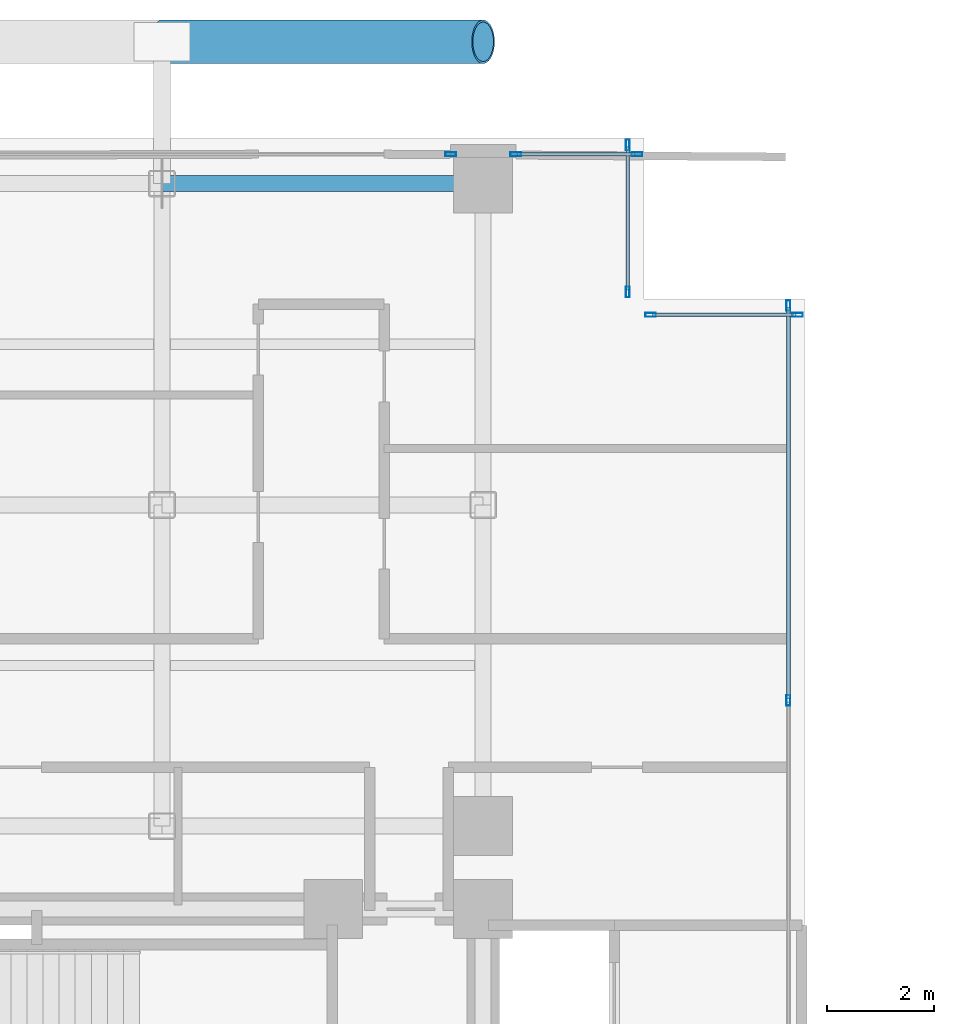
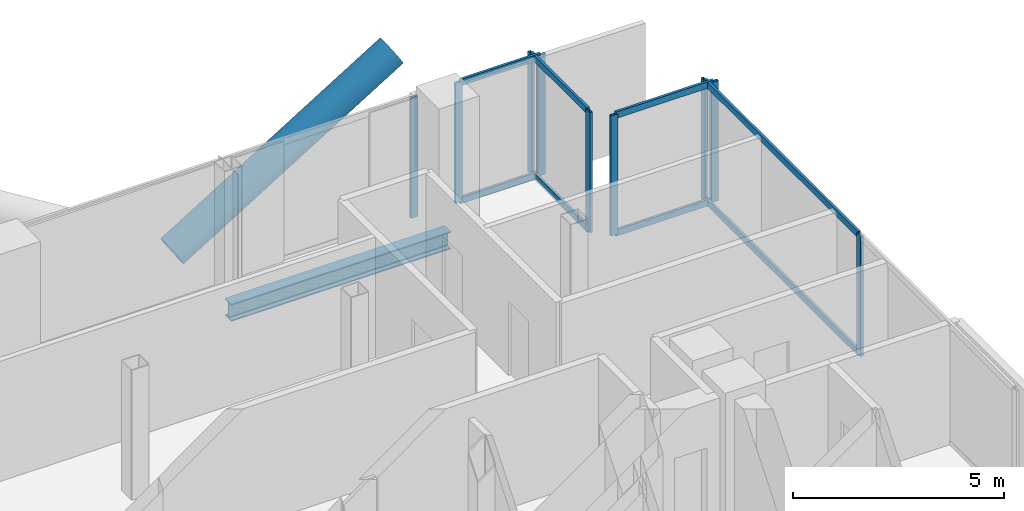
# One storey, part 17 of 28: 18 members, 1 beam, 5 elements without a shape of their own.
"""IFC4 building model written with IfcOpenShell, lengths in metres."""

from ifc_helpers import new_model, si_unit, direction, frame, origin, origin_2d, place, context, subcontext, project, spatial, hollow_rectangle, hollow_circle, i_section, extrude, material, layer, layer_set, material_profile, profile_set, type_object, element, aggregate, save


model = new_model("IFC4")

# Units and contexts
model_context = context("Model", 3, precision=1e-05, world=origin(), true_north=direction((0.0, 1.0)))
body_context = subcontext(model_context, "Body", "Model", "MODEL_VIEW")
ifc_project = project(units=[si_unit("LENGTHUNIT", "METRE"), si_unit("AREAUNIT", "SQUARE_METRE"), si_unit("VOLUMEUNIT", "CUBIC_METRE"), si_unit("PLANEANGLEUNIT", "RADIAN"), si_unit("MASSUNIT", "GRAM", prefix="KILO"), si_unit("THERMODYNAMICTEMPERATUREUNIT", "KELVIN"), si_unit("POWERUNIT", "WATT")], contexts=[model_context])

# Site, building, storey
site_placement = place(None, origin())
site = spatial("IfcSite", under=ifc_project, at=site_placement, CompositionType="ELEMENT")
building_placement = place(site_placement, origin())
building = spatial("IfcBuilding", under=site, at=building_placement, Name="Svarakhadi Broadcast Tower", CompositionType="ELEMENT")
storey_placement = place(building_placement, frame((0.0, 0.0, 107.10009765625)))
storey = spatial("IfcBuildingStorey", under=building, at=storey_placement, Name="L25", CompositionType="ELEMENT", Elevation=107.10009765625)

# Curtain wall, member
ifc_material_1 = material(Name="Anodised Bronze Aluminium AA 6063-T6", Category="aluminium")
ifc_layer = layer(ifc_material_1, 0.199951171875)
ifc_layer_set = layer_set([ifc_layer], Name="Anodised Bronze Aluminium AA 6063-T6")
curtain_wall_type = type_object("IfcCurtainWallType", Name="CW_Sys_03", PredefinedType="NOTDEFINED", material=ifc_layer_set)
curtain_wall_1_placement = place(storey_placement, origin())
curtain_wall_1 = element("IfcCurtainWall", 1, at=curtain_wall_1_placement, inside=storey, type_object=curtain_wall_type, Name="L25 Unitised Facade Curtain Wall 06 Bay 2", PredefinedType="NOTDEFINED")
ifc_material_profile_1 = material_profile(ifc_material_1, hollow_rectangle(XDim=0.074951171875, YDim=0.199951171875, WallThickness=0.005615234375, at=origin_2d()), Name="ALU MULLION 200x75x6")
ifc_profile_set_1 = profile_set([ifc_material_profile_1], Name="Anodised Bronze Aluminium AA 6063-T6")
member_type_1 = type_object("IfcMemberType", Name="CW_Sys_03_Mul", PredefinedType="MULLION", material=ifc_profile_set_1)
member_1_placement = place(storey_placement, frame((17.392578125, 41.699951171875, 0.0), z_axis=(0.0, 0.0, 1.0), x_axis=(0.0, 1.0, 0.0)))
member_1 = element("IfcMember", 2, at=member_1_placement, type_object=member_type_1, Name="CW-03 mullion 2", PredefinedType="MULLION", context=body_context, shape_type="SweptSolid", body=[
    extrude(hollow_rectangle(XDim=0.074951171875, YDim=0.199951171875, WallThickness=0.005615234375, at=origin_2d()), origin(), (0.0, 0.0, 1.0), 3.474853515625),
])
aggregate(curtain_wall_1, [member_1])

# Curtain wall, members
curtain_wall_2_placement = place(storey_placement, origin())
curtain_wall_2 = element("IfcCurtainWall", 3, at=curtain_wall_2_placement, inside=storey, type_object=curtain_wall_type, Name="L25 Unitised Facade Curtain Wall 06 Bay 3", PredefinedType="NOTDEFINED")
member_2_placement = place(storey_placement, frame((18.607421875, 41.699951171875, 0.0), z_axis=(0.0, 0.0, 1.0), x_axis=(0.0, 1.0, 0.0)))
member_2 = element("IfcMember", 4, at=member_2_placement, type_object=member_type_1, Name="CW-03 mullion 1", PredefinedType="MULLION", context=body_context, shape_type="SweptSolid", body=[
    extrude(hollow_rectangle(XDim=0.074951171875, YDim=0.199951171875, WallThickness=0.005615234375, at=origin_2d()), origin(), (0.0, 0.0, 1.0), 3.474853515625),
])
member_3_placement = place(storey_placement, frame((20.87255859375, 41.699951171875, 0.0), z_axis=(0.0, 0.0, 1.0), x_axis=(0.0, 1.0, 0.0)))
member_3 = element("IfcMember", 5, at=member_3_placement, type_object=member_type_1, Name="CW-03 mullion 2", PredefinedType="MULLION", context=body_context, shape_type="SweptSolid", body=[
    extrude(hollow_rectangle(XDim=0.074951171875, YDim=0.199951171875, WallThickness=0.005615234375, at=origin_2d()), origin(), (0.0, 0.0, 1.0), 3.474853515625),
])

curtain_wall_3_placement = place(storey_placement, origin())
curtain_wall_3 = element("IfcCurtainWall", 6, at=curtain_wall_3_placement, inside=storey, type_object=curtain_wall_type, Name="L25 Unitised Facade Curtain Wall 07", PredefinedType="NOTDEFINED")
member_4_placement = place(storey_placement, frame((20.699951171875, 41.87255859375, 0.0), z_axis=(0.0, 0.0, 1.0), x_axis=(1.0, 0.0, 0.0)))
member_4 = element("IfcMember", 7, at=member_4_placement, type_object=member_type_1, Name="CW-03 mullion 1", PredefinedType="MULLION", context=body_context, shape_type="SweptSolid", body=[
    extrude(hollow_rectangle(XDim=0.074951171875, YDim=0.199951171875, WallThickness=0.005615234375, at=origin_2d()), origin(), (0.0, 0.0, 1.0), 3.474853515625),
])
member_5_placement = place(storey_placement, frame((20.699951171875, 39.12744140625, 0.0), z_axis=(0.0, 0.0, 1.0), x_axis=(1.0, 0.0, 0.0)))
member_5 = element("IfcMember", 8, at=member_5_placement, type_object=member_type_1, Name="CW-03 mullion 2", PredefinedType="MULLION", context=body_context, shape_type="SweptSolid", body=[
    extrude(hollow_rectangle(XDim=0.074951171875, YDim=0.199951171875, WallThickness=0.005615234375, at=origin_2d()), origin(), (0.0, 0.0, 1.0), 3.474853515625),
])

curtain_wall_4_placement = place(storey_placement, origin())
curtain_wall_4 = element("IfcCurtainWall", 9, at=curtain_wall_4_placement, inside=storey, type_object=curtain_wall_type, Name="L25 Unitised Facade Curtain Wall 08", PredefinedType="NOTDEFINED")
member_6_placement = place(storey_placement, frame((21.12744140625, 38.699951171875, 0.0), z_axis=(0.0, 0.0, 1.0), x_axis=(0.0, 1.0, 0.0)))
member_6 = element("IfcMember", 10, at=member_6_placement, type_object=member_type_1, Name="CW-03 mullion 1", PredefinedType="MULLION", context=body_context, shape_type="SweptSolid", body=[
    extrude(hollow_rectangle(XDim=0.074951171875, YDim=0.199951171875, WallThickness=0.005615234375, at=origin_2d()), origin(), (0.0, 0.0, 1.0), 3.474853515625),
])
member_7_placement = place(storey_placement, frame((23.87255859375, 38.699951171875, 0.0), z_axis=(0.0, 0.0, 1.0), x_axis=(0.0, 1.0, 0.0)))
member_7 = element("IfcMember", 11, at=member_7_placement, type_object=member_type_1, Name="CW-03 mullion 2", PredefinedType="MULLION", context=body_context, shape_type="SweptSolid", body=[
    extrude(hollow_rectangle(XDim=0.074951171875, YDim=0.199951171875, WallThickness=0.005615234375, at=origin_2d()), origin(), (0.0, 0.0, 1.0), 3.474853515625),
])

curtain_wall_5_placement = place(storey_placement, origin())
curtain_wall_5 = element("IfcCurtainWall", 12, at=curtain_wall_5_placement, inside=storey, type_object=curtain_wall_type, Name="L25 Unitised Facade Curtain Wall 09", PredefinedType="NOTDEFINED")
member_8_placement = place(storey_placement, frame((23.699951171875, 38.87255859375, 0.0), z_axis=(0.0, 0.0, 1.0), x_axis=(1.0, 0.0, 0.0)))
member_8 = element("IfcMember", 13, at=member_8_placement, type_object=member_type_1, Name="CW-03 mullion 1", PredefinedType="MULLION", context=body_context, shape_type="SweptSolid", body=[
    extrude(hollow_rectangle(XDim=0.074951171875, YDim=0.199951171875, WallThickness=0.005615234375, at=origin_2d()), origin(), (0.0, 0.0, 1.0), 3.474853515625),
])
member_9_placement = place(storey_placement, frame((23.699951171875, 31.5, 0.0), z_axis=(0.0, 0.0, 1.0), x_axis=(1.0, 0.0, 0.0)))
member_9 = element("IfcMember", 14, at=member_9_placement, type_object=member_type_1, Name="CW-03 mullion 2", PredefinedType="MULLION", context=body_context, shape_type="SweptSolid", body=[
    extrude(hollow_rectangle(XDim=0.074951171875, YDim=0.199951171875, WallThickness=0.005615234375, at=origin_2d()), origin(), (0.0, 0.0, 1.0), 3.474853515625),
])

# Member
ifc_material_profile_2 = material_profile(ifc_material_1, hollow_rectangle(XDim=0.070068359375, YDim=0.18505859375, WallThickness=0.0048828125, at=origin_2d()), Name="ALU TRANSOM 185x70x5")
ifc_profile_set_2 = profile_set([ifc_material_profile_2], Name="Anodised Bronze Aluminium AA 6063-T6")
member_type_2 = type_object("IfcMemberType", Name="CW_Sys_03_Trn", PredefinedType="USERDEFINED", material=ifc_profile_set_2)
member_10_placement = place(storey_placement, frame((18.64501953125, 41.699951171875, 0.034912109375), z_axis=(1.0, 0.0, 0.0), x_axis=(0.0, 1.0, 0.0)))
member_10 = element("IfcMember", 15, at=member_10_placement, type_object=member_type_2, Name="CW-03 transom 1.1", ObjectType="TRANSOM", PredefinedType="USERDEFINED", context=body_context, shape_type="SweptSolid", body=[
    extrude(hollow_rectangle(XDim=0.070068359375, YDim=0.18505859375, WallThickness=0.0048828125, at=origin_2d()), origin(), (0.0, 0.0, 1.0), 2.18994140625),
])

member_11_placement = place(storey_placement, frame((18.64501953125, 41.699951171875, 3.43994140625), z_axis=(1.0, 0.0, 0.0), x_axis=(0.0, 1.0, 0.0)))
member_11 = element("IfcMember", 16, at=member_11_placement, type_object=member_type_2, Name="CW-03 transom 1.2", ObjectType="TRANSOM", PredefinedType="USERDEFINED", context=body_context, shape_type="SweptSolid", body=[
    extrude(hollow_rectangle(XDim=0.070068359375, YDim=0.18505859375, WallThickness=0.0048828125, at=origin_2d()), origin(), (0.0, 0.0, 1.0), 2.18994140625),
])

aggregate(curtain_wall_2, [member_2, member_3, member_10, member_11])

member_12_placement = place(storey_placement, frame((20.699951171875, 41.8349609375, 0.034912109375), z_axis=(0.0, -1.0, 0.0), x_axis=(1.0, 0.0, 0.0)))
member_12 = element("IfcMember", 17, at=member_12_placement, type_object=member_type_2, Name="CW-03 transom 1.1", ObjectType="TRANSOM", PredefinedType="USERDEFINED", context=body_context, shape_type="SweptSolid", body=[
    extrude(hollow_rectangle(XDim=0.070068359375, YDim=0.18505859375, WallThickness=0.0048828125, at=origin_2d()), origin(), (0.0, 0.0, 1.0), 2.669921875),
])

member_13_placement = place(storey_placement, frame((20.699951171875, 41.8349609375, 3.43994140625), z_axis=(0.0, -1.0, 0.0), x_axis=(1.0, 0.0, 0.0)))
member_13 = element("IfcMember", 18, at=member_13_placement, type_object=member_type_2, Name="CW-03 transom 1.2", ObjectType="TRANSOM", PredefinedType="USERDEFINED", context=body_context, shape_type="SweptSolid", body=[
    extrude(hollow_rectangle(XDim=0.070068359375, YDim=0.18505859375, WallThickness=0.0048828125, at=origin_2d()), origin(), (0.0, 0.0, 1.0), 2.669921875),
])

aggregate(curtain_wall_3, [member_4, member_5, member_12, member_13])

member_14_placement = place(storey_placement, frame((21.1650390625, 38.699951171875, 0.034912109375), z_axis=(1.0, 0.0, 0.0), x_axis=(0.0, 1.0, 0.0)))
member_14 = element("IfcMember", 19, at=member_14_placement, type_object=member_type_2, Name="CW-03 transom 1.1", ObjectType="TRANSOM", PredefinedType="USERDEFINED", context=body_context, shape_type="SweptSolid", body=[
    extrude(hollow_rectangle(XDim=0.070068359375, YDim=0.18505859375, WallThickness=0.0048828125, at=origin_2d()), origin(), (0.0, 0.0, 1.0), 2.669921875),
])

member_15_placement = place(storey_placement, frame((21.1650390625, 38.699951171875, 3.43994140625), z_axis=(1.0, 0.0, 0.0), x_axis=(0.0, 1.0, 0.0)))
member_15 = element("IfcMember", 20, at=member_15_placement, type_object=member_type_2, Name="CW-03 transom 1.2", ObjectType="TRANSOM", PredefinedType="USERDEFINED", context=body_context, shape_type="SweptSolid", body=[
    extrude(hollow_rectangle(XDim=0.070068359375, YDim=0.18505859375, WallThickness=0.0048828125, at=origin_2d()), origin(), (0.0, 0.0, 1.0), 2.669921875),
])

aggregate(curtain_wall_4, [member_6, member_7, member_14, member_15])

member_16_placement = place(storey_placement, frame((23.699951171875, 38.8349609375, 0.034912109375), z_axis=(0.0, -1.0, 0.0), x_axis=(1.0, 0.0, 0.0)))
member_16 = element("IfcMember", 21, at=member_16_placement, type_object=member_type_2, Name="CW-03 transom 1.1", ObjectType="TRANSOM", PredefinedType="USERDEFINED", context=body_context, shape_type="SweptSolid", body=[
    extrude(hollow_rectangle(XDim=0.070068359375, YDim=0.18505859375, WallThickness=0.0048828125, at=origin_2d()), origin(), (0.0, 0.0, 1.0), 7.29736328125),
])

member_17_placement = place(storey_placement, frame((23.699951171875, 38.8349609375, 3.43994140625), z_axis=(0.0, -1.0, 0.0), x_axis=(1.0, 0.0, 0.0)))
member_17 = element("IfcMember", 22, at=member_17_placement, type_object=member_type_2, Name="CW-03 transom 1.2", ObjectType="TRANSOM", PredefinedType="USERDEFINED", context=body_context, shape_type="SweptSolid", body=[
    extrude(hollow_rectangle(XDim=0.070068359375, YDim=0.18505859375, WallThickness=0.0048828125, at=origin_2d()), origin(), (0.0, 0.0, 1.0), 7.29736328125),
])

aggregate(curtain_wall_5, [member_8, member_9, member_16, member_17])

ifc_material_2 = material(Name="Steel S460ML (IS 2062 E450BR)", Category="steel")
ifc_material_profile_3 = material_profile(ifc_material_2, hollow_circle(Radius=0.406494140625, WallThickness=0.0400390625, at=origin_2d()), Name="CHS 813x40")
ifc_profile_set_3 = profile_set([ifc_material_profile_3], Name="Steel S460ML (IS 2062 E450BR)")
member_type_3 = type_object("IfcMemberType", Name="Exo_Brace_CHS813", PredefinedType="BRACE", material=ifc_profile_set_3)
member_18_placement = place(storey_placement, frame((12.0, 43.800048828125, -0.386962890625), z_axis=(0.851173964427, 0.0, 0.524883684525), x_axis=(0.0, 1.0, 0.0)))
element("IfcMember", 23, at=member_18_placement, inside=storey, type_object=member_type_3, Name="L25 Exposed Bronze Exoskeleton Diagonal N11", PredefinedType="BRACE", context=body_context, shape_type="SweptSolid", body=[
    extrude(hollow_circle(Radius=0.406494140625, WallThickness=0.0400390625, at=origin_2d()), origin(), (0.0, 0.0, 1.0), 7.049072265625),
])

# Beam
ifc_material_3 = material(Name="Steel S355J2 (IS 2062 E350C)", Category="steel")
ifc_material_profile_4 = material_profile(ifc_material_3, i_section(OverallWidth=0.300048828125, OverallDepth=0.5, WebThickness=0.014404296875, FlangeThickness=0.028076171875, FilletRadius=0.027099609375, at=origin_2d()), Name="WPB 500x300x187")
ifc_profile_set_4 = profile_set([ifc_material_profile_4], Name="Steel S355J2 (IS 2062 E350C)")
beam_type = type_object("IfcBeamType", Name="Girder_WPB500", PredefinedType="USERDEFINED", material=ifc_profile_set_4)
beam_placement = place(storey_placement, frame((12.0, 41.14990234375, -0.47509765625), z_axis=(1.0, 0.0, 0.0), x_axis=(0.0, 1.0, 0.0)))
element("IfcBeam", 24, at=beam_placement, inside=storey, type_object=beam_type, Name="L25 Primary E-W Girder G039", ObjectType="GIRDER", PredefinedType="USERDEFINED", context=body_context, shape_type="SweptSolid", body=[
    extrude(i_section(OverallWidth=0.300048828125, OverallDepth=0.5, WebThickness=0.014404296875, FlangeThickness=0.028076171875, FilletRadius=0.027099609375, at=origin_2d()), origin(), (0.0, 0.0, 1.0), 6.0),
])

save(model, "model.ifc")
